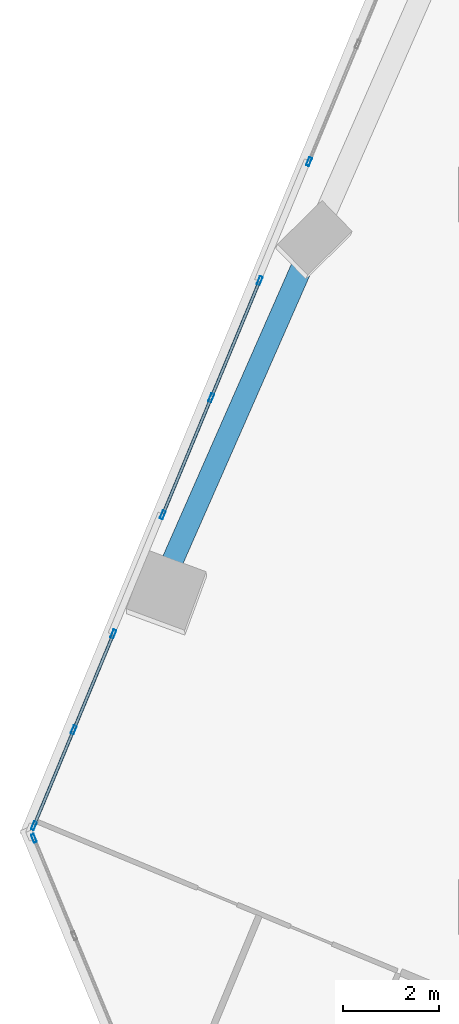
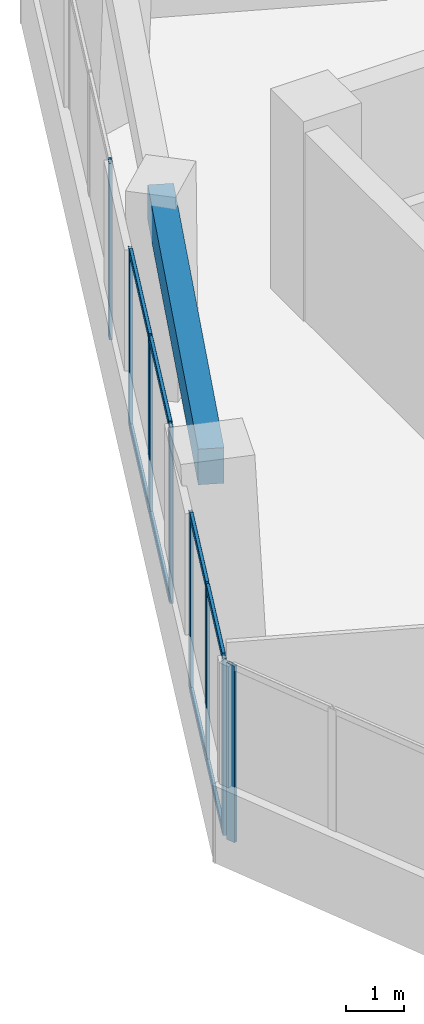
# One storey, part 5 of 23: 16 members, 1 beam, 4 elements without a shape of their own.
"""IFC4 building model written with IfcOpenShell, lengths in metres."""

from ifc_helpers import new_model, si_unit, direction, frame, origin, origin_2d, place, context, subcontext, project, spatial, rectangle, hollow_rectangle, extrude, source, transform, mapped, material, material_profile, profile_set, type_object, element, aggregate, save


model = new_model("IFC4")

# Units and contexts
model_context = context("Model", 3, precision=1e-05, world=origin(), true_north=direction((0.0, 1.0)))
body_context = subcontext(model_context, "Body", "Model", "MODEL_VIEW")
ifc_project = project(units=[si_unit("LENGTHUNIT", "METRE"), si_unit("AREAUNIT", "SQUARE_METRE"), si_unit("VOLUMEUNIT", "CUBIC_METRE"), si_unit("PLANEANGLEUNIT", "RADIAN"), si_unit("MASSUNIT", "GRAM", prefix="KILO")], contexts=[model_context])

# Site, building, storey
site_placement = place(None, origin())
site = spatial("IfcSite", under=ifc_project, at=site_placement, CompositionType="ELEMENT")
building_placement = place(site_placement, origin())
building = spatial("IfcBuilding", under=site, at=building_placement, Name="Torre Montelarca", CompositionType="ELEMENT")
storey_placement = place(building_placement, frame((0.0, 0.0, 145.60009765625)))
storey = spatial("IfcBuildingStorey", under=building, at=storey_placement, Name="L32", CompositionType="ELEMENT", Elevation=145.60009765625)

# Beam
ifc_material_1 = material(Name="Concrete C55/67", Category="concrete")
ifc_material_profile_1 = material_profile(ifc_material_1, rectangle(XDim=0.449951171875, YDim=0.75, at=origin_2d()), Name="RCB450X750", Category="concrete")
ifc_profile_set_1 = profile_set([ifc_material_profile_1], Name="Concrete C55/67")
beam_type = type_object("IfcBeamType", Name="BM-SP-RC750-EXT", PredefinedType="SPANDREL", material=ifc_profile_set_1)
shared_shape_1 = source(origin(), body_context, "Body", "SweptSolid", [
    extrude(rectangle(XDim=0.449951171875, YDim=0.75, at=origin_2d()), origin(), (0.0, 0.0, 1.0), 8.0),
])
beam_placement = place(storey_placement, frame((2.85498046875, 31.4638671875, 3.5849609375), z_axis=(0.40274065968, 0.915314132438, 0.0), x_axis=(-0.915314132438, 0.40274065968, 0.0)))
element("IfcBeam", 1, at=beam_placement, inside=storey, type_object=beam_type, Name="L32 Grid Girder Y 24.0-32.0 at X=4.7", PredefinedType="SPANDREL", context=body_context, shape_type="MappedRepresentation", body=[
    mapped(shared_shape_1, transform((0.0, 0.0, 0.0), scale=1.0)),
])

# Curtain wall, members
ifc_material_2 = material(Name="Insulated low-E laminated glass", Category="glass")
curtain_wall_type = type_object("IfcCurtainWallType", Name="CW-SYS-Z2", PredefinedType="USERDEFINED", material=ifc_material_2)
curtain_wall_1_placement = place(storey_placement, origin())
curtain_wall_1 = element("IfcCurtainWall", 2, at=curtain_wall_1_placement, inside=storey, type_object=curtain_wall_type, Name="L32 Curtain Wall Run CW-T3-L32-E10-B2", ObjectType="UNITISED GLAZING", PredefinedType="USERDEFINED")
ifc_material_3 = material(Name="Anodised aluminium AA 6063-T6", Category="aluminium")
ifc_material_profile_2 = material_profile(ifc_material_3, hollow_rectangle(XDim=0.06494140625, YDim=0.139892578125, WallThickness=0.00390625, InnerFilletRadius=0.00390625, OuterFilletRadius=0.008056640625, at=origin_2d()), Name="ALU65X140X4", Category="aluminium")
ifc_profile_set_2 = profile_set([ifc_material_profile_2], Name="Anodised aluminium AA 6063-T6")
member_type_1 = type_object("IfcMemberType", Name="CWT-ALU140", PredefinedType="USERDEFINED", material=ifc_profile_set_2)
shared_shape_2 = source(origin(), body_context, "Body", "SweptSolid", [
    extrude(hollow_rectangle(XDim=0.06494140625, YDim=0.139892578125, WallThickness=0.00390625, InnerFilletRadius=0.00390625, OuterFilletRadius=0.008056640625, at=origin_2d()), origin(), (0.0, 0.0, 1.0), 2.587890625),
])
member_1_placement = place(storey_placement, frame((4.81005859375, 37.61962890625, 0.032470703125), z_axis=(-0.382651751874, -0.923892654364, 0.0), x_axis=(0.923892654364, -0.382651751874, 0.0)))
member_1 = element("IfcMember", 3, at=member_1_placement, type_object=member_type_1, Name="CW transom 1.1", ObjectType="TRANSOM", PredefinedType="USERDEFINED", context=body_context, shape_type="MappedRepresentation", body=[
    mapped(shared_shape_2, transform((0.0, 0.0, 0.0), scale=1.0)),
])
member_2_placement = place(storey_placement, frame((4.81005859375, 37.61962890625, 3.6875), z_axis=(-0.382651751874, -0.923892654364, 0.0), x_axis=(0.923892654364, -0.382651751874, 0.0)))
member_2 = element("IfcMember", 4, at=member_2_placement, type_object=member_type_1, Name="CW transom 1.2", ObjectType="TRANSOM", PredefinedType="USERDEFINED", context=body_context, shape_type="MappedRepresentation", body=[
    mapped(shared_shape_2, transform((0.0, 0.0, 0.0), scale=1.0)),
])
member_3_placement = place(storey_placement, frame((3.794921875, 35.1689453125, 0.032470703125), z_axis=(-0.382651751874, -0.923892654364, 0.0), x_axis=(0.923892654364, -0.382651751874, 0.0)))
member_3 = element("IfcMember", 5, at=member_3_placement, type_object=member_type_1, Name="CW transom 2.1", ObjectType="TRANSOM", PredefinedType="USERDEFINED", context=body_context, shape_type="MappedRepresentation", body=[
    mapped(shared_shape_2, transform((0.0, 0.0, 0.0), scale=1.0)),
])
member_4_placement = place(storey_placement, frame((3.794921875, 35.1689453125, 3.6875), z_axis=(-0.382651751874, -0.923892654364, 0.0), x_axis=(0.923892654364, -0.382651751874, 0.0)))
member_4 = element("IfcMember", 6, at=member_4_placement, type_object=member_type_1, Name="CW transom 2.2", ObjectType="TRANSOM", PredefinedType="USERDEFINED", context=body_context, shape_type="MappedRepresentation", body=[
    mapped(shared_shape_2, transform((0.0, 0.0, 0.0), scale=1.0)),
])

# Curtain wall, member
curtain_wall_2_placement = place(storey_placement, origin())
curtain_wall_2 = element("IfcCurtainWall", 7, at=curtain_wall_2_placement, inside=storey, type_object=curtain_wall_type, Name="L32 Curtain Wall Run CW-T3-L32-E10-B1", ObjectType="UNITISED GLAZING", PredefinedType="USERDEFINED")
ifc_material_profile_3 = material_profile(ifc_material_3, hollow_rectangle(XDim=0.06494140625, YDim=0.179931640625, WallThickness=0.00390625, InnerFilletRadius=0.00390625, OuterFilletRadius=0.008056640625, at=origin_2d()), Name="ALU65X180X4", Category="aluminium")
ifc_profile_set_3 = profile_set([ifc_material_profile_3], Name="Anodised aluminium AA 6063-T6")
member_type_2 = type_object("IfcMemberType", Name="CWM-ALU180", PredefinedType="MULLION", material=ifc_profile_set_3)
shared_shape_3 = source(origin(), body_context, "Body", "SweptSolid", [
    extrude(hollow_rectangle(XDim=0.06494140625, YDim=0.179931640625, WallThickness=0.00390625, InnerFilletRadius=0.00390625, OuterFilletRadius=0.008056640625, at=origin_2d()), origin(), (0.0, 0.0, 1.0), 3.719970703125),
])
member_5_placement = place(storey_placement, frame((5.85302734375, 40.13720703125, 0.0), z_axis=(0.0, 0.0, 1.0), x_axis=(0.923876177357, -0.382691532323, 0.0)))
member_5 = element("IfcMember", 8, at=member_5_placement, type_object=member_type_2, Name="CW mullion 3", PredefinedType="MULLION", context=body_context, shape_type="MappedRepresentation", body=[
    mapped(shared_shape_3, transform((0.0, 0.0, 0.0), scale=1.0)),
])
aggregate(curtain_wall_2, [member_5])

# Member
member_6_placement = place(storey_placement, frame((4.822509765625, 37.649658203125, 0.0), z_axis=(0.0, 0.0, 1.0), x_axis=(0.923879758478, -0.382682886833, 0.0)))
member_6 = element("IfcMember", 9, at=member_6_placement, type_object=member_type_2, Name="CW mullion 1", PredefinedType="MULLION", context=body_context, shape_type="MappedRepresentation", body=[
    mapped(shared_shape_3, transform((0.0, 0.0, 0.0), scale=1.0)),
])

member_7_placement = place(storey_placement, frame((3.807373046875, 35.19873046875, 0.0), z_axis=(0.0, 0.0, 1.0), x_axis=(0.923879758478, -0.382682886833, 0.0)))
member_7 = element("IfcMember", 10, at=member_7_placement, type_object=member_type_2, Name="CW mullion 2", PredefinedType="MULLION", context=body_context, shape_type="MappedRepresentation", body=[
    mapped(shared_shape_3, transform((0.0, 0.0, 0.0), scale=1.0)),
])

member_8_placement = place(storey_placement, frame((2.792236328125, 32.748046875, 0.0), z_axis=(0.0, 0.0, 1.0), x_axis=(0.923879758478, -0.382682886833, 0.0)))
member_8 = element("IfcMember", 11, at=member_8_placement, type_object=member_type_2, Name="CW mullion 3", PredefinedType="MULLION", context=body_context, shape_type="MappedRepresentation", body=[
    mapped(shared_shape_3, transform((0.0, 0.0, 0.0), scale=1.0)),
])

aggregate(curtain_wall_1, [member_6, member_7, member_8, member_1, member_2, member_3, member_4])

# Curtain wall, members
curtain_wall_3_placement = place(storey_placement, origin())
curtain_wall_3 = element("IfcCurtainWall", 12, at=curtain_wall_3_placement, inside=storey, type_object=curtain_wall_type, Name="L32 Curtain Wall Run CW-T3-L32-E10-B3", ObjectType="UNITISED GLAZING", PredefinedType="USERDEFINED")
member_9_placement = place(storey_placement, frame((1.76123046875, 30.2587890625, 0.0), z_axis=(0.0, 0.0, 1.0), x_axis=(0.923879015843, -0.38268467971, 0.0)))
member_9 = element("IfcMember", 13, at=member_9_placement, type_object=member_type_2, Name="CW mullion 1", PredefinedType="MULLION", context=body_context, shape_type="MappedRepresentation", body=[
    mapped(shared_shape_3, transform((0.0, 0.0, 0.0), scale=1.0)),
])
member_10_placement = place(storey_placement, frame((0.930908203125, 28.254150390625, 0.0), z_axis=(0.0, 0.0, 1.0), x_axis=(0.923879015843, -0.38268467971, 0.0)))
member_10 = element("IfcMember", 14, at=member_10_placement, type_object=member_type_2, Name="CW mullion 2", PredefinedType="MULLION", context=body_context, shape_type="MappedRepresentation", body=[
    mapped(shared_shape_3, transform((0.0, 0.0, 0.0), scale=1.0)),
])
member_11_placement = place(storey_placement, frame((0.1005859375, 26.249755859375, 0.0), z_axis=(0.0, 0.0, 1.0), x_axis=(0.923879015843, -0.38268467971, 0.0)))
member_11 = element("IfcMember", 15, at=member_11_placement, type_object=member_type_2, Name="CW mullion 3", PredefinedType="MULLION", context=body_context, shape_type="MappedRepresentation", body=[
    mapped(shared_shape_3, transform((0.0, 0.0, 0.0), scale=1.0)),
])

# Curtain wall, member
curtain_wall_4_placement = place(storey_placement, origin())
curtain_wall_4 = element("IfcCurtainWall", 16, at=curtain_wall_4_placement, inside=storey, type_object=curtain_wall_type, Name="L32 Curtain Wall Run CW-T3-L32-E11-B1", ObjectType="UNITISED GLAZING", PredefinedType="USERDEFINED")
member_12_placement = place(storey_placement, frame((0.1005859375, 25.982666015625, 0.0), z_axis=(0.0, 0.0, 1.0), x_axis=(0.923884651874, 0.382671072895, 0.0)))
member_12 = element("IfcMember", 17, at=member_12_placement, type_object=member_type_2, Name="CW mullion 1", PredefinedType="MULLION", context=body_context, shape_type="MappedRepresentation", body=[
    mapped(shared_shape_3, transform((0.0, 0.0, 0.0), scale=1.0)),
])
aggregate(curtain_wall_4, [member_12])

# Member
shared_shape_4 = source(origin(), body_context, "Body", "SweptSolid", [
    extrude(hollow_rectangle(XDim=0.06494140625, YDim=0.139892578125, WallThickness=0.00390625, InnerFilletRadius=0.00390625, OuterFilletRadius=0.008056640625, at=origin_2d()), origin(), (0.0, 0.0, 1.0), 2.104736328125),
])
member_13_placement = place(storey_placement, frame((1.748779296875, 30.228759765625, 0.032470703125), z_axis=(-0.38266253946, -0.923888186359, 0.0), x_axis=(0.923888186359, -0.38266253946, 0.0)))
member_13 = element("IfcMember", 18, at=member_13_placement, type_object=member_type_1, Name="CW transom 1.1", ObjectType="TRANSOM", PredefinedType="USERDEFINED", context=body_context, shape_type="MappedRepresentation", body=[
    mapped(shared_shape_4, transform((0.0, 0.0, 0.0), scale=1.0)),
])

member_14_placement = place(storey_placement, frame((1.748779296875, 30.228759765625, 3.6875), z_axis=(-0.38266253946, -0.923888186359, 0.0), x_axis=(0.923888186359, -0.38266253946, 0.0)))
member_14 = element("IfcMember", 19, at=member_14_placement, type_object=member_type_1, Name="CW transom 1.2", ObjectType="TRANSOM", PredefinedType="USERDEFINED", context=body_context, shape_type="MappedRepresentation", body=[
    mapped(shared_shape_4, transform((0.0, 0.0, 0.0), scale=1.0)),
])

shared_shape_5 = source(origin(), body_context, "Body", "SweptSolid", [
    extrude(hollow_rectangle(XDim=0.06494140625, YDim=0.139892578125, WallThickness=0.00390625, InnerFilletRadius=0.00390625, OuterFilletRadius=0.008056640625, at=origin_2d()), origin(), (0.0, 0.0, 1.0), 2.1044921875),
])
member_15_placement = place(storey_placement, frame((0.91845703125, 28.22412109375, 0.032470703125), z_axis=(-0.382703551517, -0.923871198629, 0.0), x_axis=(0.923871198629, -0.382703551517, 0.0)))
member_15 = element("IfcMember", 20, at=member_15_placement, type_object=member_type_1, Name="CW transom 2.1", ObjectType="TRANSOM", PredefinedType="USERDEFINED", context=body_context, shape_type="MappedRepresentation", body=[
    mapped(shared_shape_5, transform((0.0, 0.0, 0.0), scale=1.0)),
])

member_16_placement = place(storey_placement, frame((0.91845703125, 28.22412109375, 3.6875), z_axis=(-0.382703551517, -0.923871198629, 0.0), x_axis=(0.923871198629, -0.382703551517, 0.0)))
member_16 = element("IfcMember", 21, at=member_16_placement, type_object=member_type_1, Name="CW transom 2.2", ObjectType="TRANSOM", PredefinedType="USERDEFINED", context=body_context, shape_type="MappedRepresentation", body=[
    mapped(shared_shape_5, transform((0.0, 0.0, 0.0), scale=1.0)),
])

aggregate(curtain_wall_3, [member_9, member_10, member_11, member_13, member_14, member_15, member_16])

save(model, "model.ifc")
